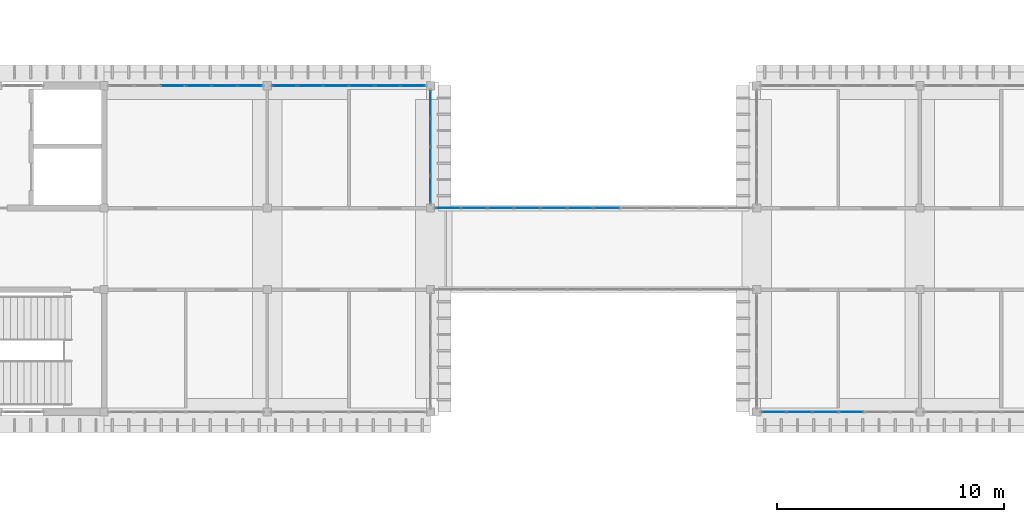
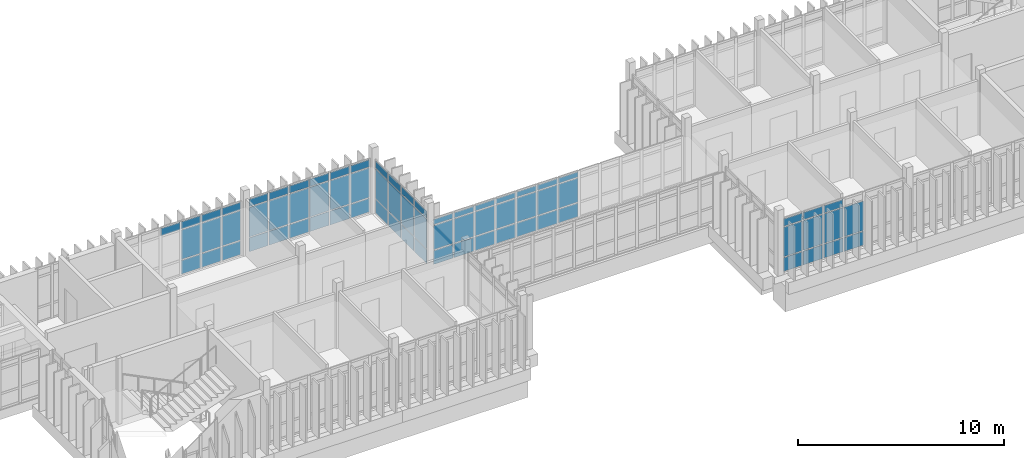
# One storey, part 32 of 69: 72 plates, 5 elements without a shape of their own.
"""IFC4 building model written with IfcOpenShell, lengths in metres."""

from ifc_helpers import new_model, si_unit, direction, frame, origin, origin_2d, place, context, subcontext, project, spatial, rectangle, extrude, material, layer, layer_set, type_object, element, aggregate, save


model = new_model("IFC4")

# Units and contexts
model_context = context("Model", 3, precision=1e-05, world=origin(), true_north=direction((0.0, 1.0)))
body_context = subcontext(model_context, "Body", "Model", "MODEL_VIEW")
ifc_project = project(units=[si_unit("LENGTHUNIT", "METRE"), si_unit("AREAUNIT", "SQUARE_METRE"), si_unit("VOLUMEUNIT", "CUBIC_METRE"), si_unit("PLANEANGLEUNIT", "RADIAN"), si_unit("MASSUNIT", "GRAM", prefix="KILO")], contexts=[model_context])

# Site, building, storey
site_placement = place(None, origin())
site = spatial("IfcSite", under=ifc_project, at=site_placement, CompositionType="ELEMENT")
building_placement = place(site_placement, origin())
building = spatial("IfcBuilding", under=site, at=building_placement, Name="Mazhai Court Health Centre", CompositionType="ELEMENT")
storey_placement = place(building_placement, frame((0.0, 0.0, 6.300048828125)))
storey = spatial("IfcBuildingStorey", under=building, at=storey_placement, Name="L01", CompositionType="ELEMENT", Elevation=6.300048828125)

# Curtain wall, plates
ifc_material_1 = material(Name="Teak timber frame, glazed", Category="wood")
ifc_layer_1 = layer(ifc_material_1, 0.10009765625)
ifc_layer_set_1 = layer_set([ifc_layer_1], Name="CURTAIN WALL TIMBER 1200")
curtain_wall_type = type_object("IfcCurtainWallType", Name="CURTAIN WALL TIMBER 1200", PredefinedType="NOTDEFINED", material=ifc_layer_set_1)
curtain_wall_1_placement = place(storey_placement, origin())
curtain_wall_1 = element("IfcCurtainWall", 1, at=curtain_wall_1_placement, inside=storey, type_object=curtain_wall_type, Name="CW-V4-L01-A5", PredefinedType="NOTDEFINED")
ifc_material_2 = material(Name="Glass IGU 28 mm", Category="glass")
ifc_layer_2 = layer(ifc_material_2, 0.028076171875)
ifc_layer_set_2 = layer_set([ifc_layer_2], Name="CW PANEL IGU 28")
plate_type = type_object("IfcPlateType", Name="CW PANEL IGU 28", PredefinedType="CURTAIN_PANEL", material=ifc_layer_set_2)
plate_1_placement = place(storey_placement, frame((111.169921875, 13.39990234375, 0.059814453125), z_axis=(0.0, 0.0, 1.0), x_axis=(-1.0, 0.0, 0.0)))
plate_1 = element("IfcPlate", 2, at=plate_1_placement, type_object=plate_type, Name="CW panel 3.1", PredefinedType="CURTAIN_PANEL", context=body_context, shape_type="SweptSolid", body=[
    extrude(rectangle(XDim=1.080078125, YDim=0.028076171875, at=origin_2d()), origin(), (0.0, 0.0, 1.0), 0.81005859375),
])
plate_2_placement = place(storey_placement, frame((111.169921875, 13.39990234375, 0.93017578125), z_axis=(0.0, 0.0, 1.0), x_axis=(-1.0, 0.0, 0.0)))
plate_2 = element("IfcPlate", 3, at=plate_2_placement, type_object=plate_type, Name="CW panel 3.2", PredefinedType="CURTAIN_PANEL", context=body_context, shape_type="SweptSolid", body=[
    extrude(rectangle(XDim=1.080078125, YDim=0.028076171875, at=origin_2d()), origin(), (0.0, 0.0, 1.0), 1.739990234375),
])
plate_3_placement = place(storey_placement, frame((110.030029296875, 13.39990234375, 0.059814453125), z_axis=(0.0, 0.0, 1.0), x_axis=(-1.0, 0.0, 0.0)))
plate_3 = element("IfcPlate", 4, at=plate_3_placement, type_object=plate_type, Name="CW panel 4.1", PredefinedType="CURTAIN_PANEL", context=body_context, shape_type="SweptSolid", body=[
    extrude(rectangle(XDim=1.080078125, YDim=0.028076171875, at=origin_2d()), origin(), (0.0, 0.0, 1.0), 0.81005859375),
])
plate_4_placement = place(storey_placement, frame((110.030029296875, 13.39990234375, 0.93017578125), z_axis=(0.0, 0.0, 1.0), x_axis=(-1.0, 0.0, 0.0)))
plate_4 = element("IfcPlate", 5, at=plate_4_placement, type_object=plate_type, Name="CW panel 4.2", PredefinedType="CURTAIN_PANEL", context=body_context, shape_type="SweptSolid", body=[
    extrude(rectangle(XDim=1.080078125, YDim=0.028076171875, at=origin_2d()), origin(), (0.0, 0.0, 1.0), 1.739990234375),
])
plate_5_placement = place(storey_placement, frame((110.030029296875, 13.39990234375, 2.72998046875), z_axis=(0.0, 0.0, 1.0), x_axis=(-1.0, 0.0, 0.0)))
plate_5 = element("IfcPlate", 6, at=plate_5_placement, type_object=plate_type, Name="CW panel 4.3", PredefinedType="CURTAIN_PANEL", context=body_context, shape_type="SweptSolid", body=[
    extrude(rectangle(XDim=1.080078125, YDim=0.028076171875, at=origin_2d()), origin(), (0.0, 0.0, 1.0), 0.429931640625),
])
plate_6_placement = place(storey_placement, frame((108.889892578125, 13.39990234375, 0.059814453125), z_axis=(0.0, 0.0, 1.0), x_axis=(-1.0, 0.0, 0.0)))
plate_6 = element("IfcPlate", 7, at=plate_6_placement, type_object=plate_type, Name="CW panel 5.1", PredefinedType="CURTAIN_PANEL", context=body_context, shape_type="SweptSolid", body=[
    extrude(rectangle(XDim=1.080078125, YDim=0.028076171875, at=origin_2d()), origin(), (0.0, 0.0, 1.0), 0.81005859375),
])
plate_7_placement = place(storey_placement, frame((108.889892578125, 13.39990234375, 0.93017578125), z_axis=(0.0, 0.0, 1.0), x_axis=(-1.0, 0.0, 0.0)))
plate_7 = element("IfcPlate", 8, at=plate_7_placement, type_object=plate_type, Name="CW panel 5.2", PredefinedType="CURTAIN_PANEL", context=body_context, shape_type="SweptSolid", body=[
    extrude(rectangle(XDim=1.080078125, YDim=0.028076171875, at=origin_2d()), origin(), (0.0, 0.0, 1.0), 1.739990234375),
])
plate_8_placement = place(storey_placement, frame((108.889892578125, 13.39990234375, 2.72998046875), z_axis=(0.0, 0.0, 1.0), x_axis=(-1.0, 0.0, 0.0)))
plate_8 = element("IfcPlate", 9, at=plate_8_placement, type_object=plate_type, Name="CW panel 5.3", PredefinedType="CURTAIN_PANEL", context=body_context, shape_type="SweptSolid", body=[
    extrude(rectangle(XDim=1.080078125, YDim=0.028076171875, at=origin_2d()), origin(), (0.0, 0.0, 1.0), 0.429931640625),
])
plate_9_placement = place(storey_placement, frame((107.764892578125, 13.39990234375, 0.059814453125), z_axis=(0.0, 0.0, 1.0), x_axis=(-1.0, 0.0, 0.0)))
plate_9 = element("IfcPlate", 10, at=plate_9_placement, type_object=plate_type, Name="CW panel 6.1", PredefinedType="CURTAIN_PANEL", context=body_context, shape_type="SweptSolid", body=[
    extrude(rectangle(XDim=1.050048828125, YDim=0.028076171875, at=origin_2d()), origin(), (0.0, 0.0, 1.0), 0.81005859375),
])
plate_10_placement = place(storey_placement, frame((107.764892578125, 13.39990234375, 0.93017578125), z_axis=(0.0, 0.0, 1.0), x_axis=(-1.0, 0.0, 0.0)))
plate_10 = element("IfcPlate", 11, at=plate_10_placement, type_object=plate_type, Name="CW panel 6.2", PredefinedType="CURTAIN_PANEL", context=body_context, shape_type="SweptSolid", body=[
    extrude(rectangle(XDim=1.050048828125, YDim=0.028076171875, at=origin_2d()), origin(), (0.0, 0.0, 1.0), 1.739990234375),
])
plate_11_placement = place(storey_placement, frame((107.764892578125, 13.39990234375, 2.72998046875), z_axis=(0.0, 0.0, 1.0), x_axis=(-1.0, 0.0, 0.0)))
plate_11 = element("IfcPlate", 12, at=plate_11_placement, type_object=plate_type, Name="CW panel 6.3", PredefinedType="CURTAIN_PANEL", context=body_context, shape_type="SweptSolid", body=[
    extrude(rectangle(XDim=1.050048828125, YDim=0.028076171875, at=origin_2d()), origin(), (0.0, 0.0, 1.0), 0.429931640625),
])
aggregate(curtain_wall_1, [plate_1, plate_2, plate_3, plate_4, plate_5, plate_6, plate_7, plate_8, plate_9, plate_10, plate_11])

curtain_wall_2_placement = place(storey_placement, origin())
curtain_wall_2 = element("IfcCurtainWall", 13, at=curtain_wall_2_placement, inside=storey, type_object=curtain_wall_type, Name="CW-V4-L01-B1", PredefinedType="NOTDEFINED")
plate_12_placement = place(storey_placement, frame((81.22998046875, 27.800048828125, 2.72998046875), z_axis=(0.0, 0.0, 1.0), x_axis=(1.0, 0.0, 0.0)))
plate_12 = element("IfcPlate", 14, at=plate_12_placement, type_object=plate_type, Name="CW panel 3.3", PredefinedType="CURTAIN_PANEL", context=body_context, shape_type="SweptSolid", body=[
    extrude(rectangle(XDim=1.080078125, YDim=0.028076171875, at=origin_2d()), origin(), (0.0, 0.0, 1.0), 0.429931640625),
])
plate_13_placement = place(storey_placement, frame((82.3701171875, 27.800048828125, 0.059814453125), z_axis=(0.0, 0.0, 1.0), x_axis=(1.0, 0.0, 0.0)))
plate_13 = element("IfcPlate", 15, at=plate_13_placement, type_object=plate_type, Name="CW panel 4.1", PredefinedType="CURTAIN_PANEL", context=body_context, shape_type="SweptSolid", body=[
    extrude(rectangle(XDim=1.080078125, YDim=0.028076171875, at=origin_2d()), origin(), (0.0, 0.0, 1.0), 0.81005859375),
])
plate_14_placement = place(storey_placement, frame((82.3701171875, 27.800048828125, 0.93017578125), z_axis=(0.0, 0.0, 1.0), x_axis=(1.0, 0.0, 0.0)))
plate_14 = element("IfcPlate", 16, at=plate_14_placement, type_object=plate_type, Name="CW panel 4.2", PredefinedType="CURTAIN_PANEL", context=body_context, shape_type="SweptSolid", body=[
    extrude(rectangle(XDim=1.080078125, YDim=0.028076171875, at=origin_2d()), origin(), (0.0, 0.0, 1.0), 1.739990234375),
])
plate_15_placement = place(storey_placement, frame((82.3701171875, 27.800048828125, 2.72998046875), z_axis=(0.0, 0.0, 1.0), x_axis=(1.0, 0.0, 0.0)))
plate_15 = element("IfcPlate", 17, at=plate_15_placement, type_object=plate_type, Name="CW panel 4.3", PredefinedType="CURTAIN_PANEL", context=body_context, shape_type="SweptSolid", body=[
    extrude(rectangle(XDim=1.080078125, YDim=0.028076171875, at=origin_2d()), origin(), (0.0, 0.0, 1.0), 0.429931640625),
])
plate_16_placement = place(storey_placement, frame((83.510009765625, 27.800048828125, 0.059814453125), z_axis=(0.0, 0.0, 1.0), x_axis=(1.0, 0.0, 0.0)))
plate_16 = element("IfcPlate", 18, at=plate_16_placement, type_object=plate_type, Name="CW panel 5.1", PredefinedType="CURTAIN_PANEL", context=body_context, shape_type="SweptSolid", body=[
    extrude(rectangle(XDim=1.080078125, YDim=0.028076171875, at=origin_2d()), origin(), (0.0, 0.0, 1.0), 0.81005859375),
])
plate_17_placement = place(storey_placement, frame((83.510009765625, 27.800048828125, 0.93017578125), z_axis=(0.0, 0.0, 1.0), x_axis=(1.0, 0.0, 0.0)))
plate_17 = element("IfcPlate", 19, at=plate_17_placement, type_object=plate_type, Name="CW panel 5.2", PredefinedType="CURTAIN_PANEL", context=body_context, shape_type="SweptSolid", body=[
    extrude(rectangle(XDim=1.080078125, YDim=0.028076171875, at=origin_2d()), origin(), (0.0, 0.0, 1.0), 1.739990234375),
])
plate_18_placement = place(storey_placement, frame((83.510009765625, 27.800048828125, 2.72998046875), z_axis=(0.0, 0.0, 1.0), x_axis=(1.0, 0.0, 0.0)))
plate_18 = element("IfcPlate", 20, at=plate_18_placement, type_object=plate_type, Name="CW panel 5.3", PredefinedType="CURTAIN_PANEL", context=body_context, shape_type="SweptSolid", body=[
    extrude(rectangle(XDim=1.080078125, YDim=0.028076171875, at=origin_2d()), origin(), (0.0, 0.0, 1.0), 0.429931640625),
])
plate_19_placement = place(storey_placement, frame((84.635009765625, 27.800048828125, 0.059814453125), z_axis=(0.0, 0.0, 1.0), x_axis=(1.0, 0.0, 0.0)))
plate_19 = element("IfcPlate", 21, at=plate_19_placement, type_object=plate_type, Name="CW panel 6.1", PredefinedType="CURTAIN_PANEL", context=body_context, shape_type="SweptSolid", body=[
    extrude(rectangle(XDim=1.050048828125, YDim=0.028076171875, at=origin_2d()), origin(), (0.0, 0.0, 1.0), 0.81005859375),
])
plate_20_placement = place(storey_placement, frame((84.635009765625, 27.800048828125, 0.93017578125), z_axis=(0.0, 0.0, 1.0), x_axis=(1.0, 0.0, 0.0)))
plate_20 = element("IfcPlate", 22, at=plate_20_placement, type_object=plate_type, Name="CW panel 6.2", PredefinedType="CURTAIN_PANEL", context=body_context, shape_type="SweptSolid", body=[
    extrude(rectangle(XDim=1.050048828125, YDim=0.028076171875, at=origin_2d()), origin(), (0.0, 0.0, 1.0), 1.739990234375),
])
plate_21_placement = place(storey_placement, frame((84.635009765625, 27.800048828125, 2.72998046875), z_axis=(0.0, 0.0, 1.0), x_axis=(1.0, 0.0, 0.0)))
plate_21 = element("IfcPlate", 23, at=plate_21_placement, type_object=plate_type, Name="CW panel 6.3", PredefinedType="CURTAIN_PANEL", context=body_context, shape_type="SweptSolid", body=[
    extrude(rectangle(XDim=1.050048828125, YDim=0.028076171875, at=origin_2d()), origin(), (0.0, 0.0, 1.0), 0.429931640625),
])
aggregate(curtain_wall_2, [plate_12, plate_13, plate_14, plate_15, plate_16, plate_17, plate_18, plate_19, plate_20, plate_21])

curtain_wall_3_placement = place(storey_placement, origin())
curtain_wall_3 = element("IfcCurtainWall", 24, at=curtain_wall_3_placement, inside=storey, type_object=curtain_wall_type, Name="CW-V4-L01-B2", PredefinedType="NOTDEFINED")
plate_22_placement = place(storey_placement, frame((86.1650390625, 27.800048828125, 0.059814453125), z_axis=(0.0, 0.0, 1.0), x_axis=(1.0, 0.0, 0.0)))
plate_22 = element("IfcPlate", 25, at=plate_22_placement, type_object=plate_type, Name="CW panel 1.1", PredefinedType="CURTAIN_PANEL", context=body_context, shape_type="SweptSolid", body=[
    extrude(rectangle(XDim=1.050048828125, YDim=0.028076171875, at=origin_2d()), origin(), (0.0, 0.0, 1.0), 0.81005859375),
])
plate_23_placement = place(storey_placement, frame((86.1650390625, 27.800048828125, 0.93017578125), z_axis=(0.0, 0.0, 1.0), x_axis=(1.0, 0.0, 0.0)))
plate_23 = element("IfcPlate", 26, at=plate_23_placement, type_object=plate_type, Name="CW panel 1.2", PredefinedType="CURTAIN_PANEL", context=body_context, shape_type="SweptSolid", body=[
    extrude(rectangle(XDim=1.050048828125, YDim=0.028076171875, at=origin_2d()), origin(), (0.0, 0.0, 1.0), 1.739990234375),
])
plate_24_placement = place(storey_placement, frame((86.1650390625, 27.800048828125, 2.72998046875), z_axis=(0.0, 0.0, 1.0), x_axis=(1.0, 0.0, 0.0)))
plate_24 = element("IfcPlate", 27, at=plate_24_placement, type_object=plate_type, Name="CW panel 1.3", PredefinedType="CURTAIN_PANEL", context=body_context, shape_type="SweptSolid", body=[
    extrude(rectangle(XDim=1.050048828125, YDim=0.028076171875, at=origin_2d()), origin(), (0.0, 0.0, 1.0), 0.429931640625),
])
plate_25_placement = place(storey_placement, frame((87.2900390625, 27.800048828125, 0.059814453125), z_axis=(0.0, 0.0, 1.0), x_axis=(1.0, 0.0, 0.0)))
plate_25 = element("IfcPlate", 28, at=plate_25_placement, type_object=plate_type, Name="CW panel 2.1", PredefinedType="CURTAIN_PANEL", context=body_context, shape_type="SweptSolid", body=[
    extrude(rectangle(XDim=1.080078125, YDim=0.028076171875, at=origin_2d()), origin(), (0.0, 0.0, 1.0), 0.81005859375),
])
plate_26_placement = place(storey_placement, frame((87.2900390625, 27.800048828125, 0.93017578125), z_axis=(0.0, 0.0, 1.0), x_axis=(1.0, 0.0, 0.0)))
plate_26 = element("IfcPlate", 29, at=plate_26_placement, type_object=plate_type, Name="CW panel 2.2", PredefinedType="CURTAIN_PANEL", context=body_context, shape_type="SweptSolid", body=[
    extrude(rectangle(XDim=1.080078125, YDim=0.028076171875, at=origin_2d()), origin(), (0.0, 0.0, 1.0), 1.739990234375),
])
plate_27_placement = place(storey_placement, frame((87.2900390625, 27.800048828125, 2.72998046875), z_axis=(0.0, 0.0, 1.0), x_axis=(1.0, 0.0, 0.0)))
plate_27 = element("IfcPlate", 30, at=plate_27_placement, type_object=plate_type, Name="CW panel 2.3", PredefinedType="CURTAIN_PANEL", context=body_context, shape_type="SweptSolid", body=[
    extrude(rectangle(XDim=1.080078125, YDim=0.028076171875, at=origin_2d()), origin(), (0.0, 0.0, 1.0), 0.429931640625),
])
plate_28_placement = place(storey_placement, frame((88.429931640625, 27.800048828125, 0.059814453125), z_axis=(0.0, 0.0, 1.0), x_axis=(1.0, 0.0, 0.0)))
plate_28 = element("IfcPlate", 31, at=plate_28_placement, type_object=plate_type, Name="CW panel 3.1", PredefinedType="CURTAIN_PANEL", context=body_context, shape_type="SweptSolid", body=[
    extrude(rectangle(XDim=1.080078125, YDim=0.028076171875, at=origin_2d()), origin(), (0.0, 0.0, 1.0), 0.81005859375),
])
plate_29_placement = place(storey_placement, frame((88.429931640625, 27.800048828125, 0.93017578125), z_axis=(0.0, 0.0, 1.0), x_axis=(1.0, 0.0, 0.0)))
plate_29 = element("IfcPlate", 32, at=plate_29_placement, type_object=plate_type, Name="CW panel 3.2", PredefinedType="CURTAIN_PANEL", context=body_context, shape_type="SweptSolid", body=[
    extrude(rectangle(XDim=1.080078125, YDim=0.028076171875, at=origin_2d()), origin(), (0.0, 0.0, 1.0), 1.739990234375),
])
plate_30_placement = place(storey_placement, frame((88.429931640625, 27.800048828125, 2.72998046875), z_axis=(0.0, 0.0, 1.0), x_axis=(1.0, 0.0, 0.0)))
plate_30 = element("IfcPlate", 33, at=plate_30_placement, type_object=plate_type, Name="CW panel 3.3", PredefinedType="CURTAIN_PANEL", context=body_context, shape_type="SweptSolid", body=[
    extrude(rectangle(XDim=1.080078125, YDim=0.028076171875, at=origin_2d()), origin(), (0.0, 0.0, 1.0), 0.429931640625),
])
plate_31_placement = place(storey_placement, frame((89.570068359375, 27.800048828125, 0.059814453125), z_axis=(0.0, 0.0, 1.0), x_axis=(1.0, 0.0, 0.0)))
plate_31 = element("IfcPlate", 34, at=plate_31_placement, type_object=plate_type, Name="CW panel 4.1", PredefinedType="CURTAIN_PANEL", context=body_context, shape_type="SweptSolid", body=[
    extrude(rectangle(XDim=1.080078125, YDim=0.028076171875, at=origin_2d()), origin(), (0.0, 0.0, 1.0), 0.81005859375),
])
plate_32_placement = place(storey_placement, frame((89.570068359375, 27.800048828125, 0.93017578125), z_axis=(0.0, 0.0, 1.0), x_axis=(1.0, 0.0, 0.0)))
plate_32 = element("IfcPlate", 35, at=plate_32_placement, type_object=plate_type, Name="CW panel 4.2", PredefinedType="CURTAIN_PANEL", context=body_context, shape_type="SweptSolid", body=[
    extrude(rectangle(XDim=1.080078125, YDim=0.028076171875, at=origin_2d()), origin(), (0.0, 0.0, 1.0), 1.739990234375),
])
plate_33_placement = place(storey_placement, frame((89.570068359375, 27.800048828125, 2.72998046875), z_axis=(0.0, 0.0, 1.0), x_axis=(1.0, 0.0, 0.0)))
plate_33 = element("IfcPlate", 36, at=plate_33_placement, type_object=plate_type, Name="CW panel 4.3", PredefinedType="CURTAIN_PANEL", context=body_context, shape_type="SweptSolid", body=[
    extrude(rectangle(XDim=1.080078125, YDim=0.028076171875, at=origin_2d()), origin(), (0.0, 0.0, 1.0), 0.429931640625),
])
plate_34_placement = place(storey_placement, frame((90.7099609375, 27.800048828125, 0.059814453125), z_axis=(0.0, 0.0, 1.0), x_axis=(1.0, 0.0, 0.0)))
plate_34 = element("IfcPlate", 37, at=plate_34_placement, type_object=plate_type, Name="CW panel 5.1", PredefinedType="CURTAIN_PANEL", context=body_context, shape_type="SweptSolid", body=[
    extrude(rectangle(XDim=1.080078125, YDim=0.028076171875, at=origin_2d()), origin(), (0.0, 0.0, 1.0), 0.81005859375),
])
plate_35_placement = place(storey_placement, frame((90.7099609375, 27.800048828125, 0.93017578125), z_axis=(0.0, 0.0, 1.0), x_axis=(1.0, 0.0, 0.0)))
plate_35 = element("IfcPlate", 38, at=plate_35_placement, type_object=plate_type, Name="CW panel 5.2", PredefinedType="CURTAIN_PANEL", context=body_context, shape_type="SweptSolid", body=[
    extrude(rectangle(XDim=1.080078125, YDim=0.028076171875, at=origin_2d()), origin(), (0.0, 0.0, 1.0), 1.739990234375),
])
plate_36_placement = place(storey_placement, frame((90.7099609375, 27.800048828125, 2.72998046875), z_axis=(0.0, 0.0, 1.0), x_axis=(1.0, 0.0, 0.0)))
plate_36 = element("IfcPlate", 39, at=plate_36_placement, type_object=plate_type, Name="CW panel 5.3", PredefinedType="CURTAIN_PANEL", context=body_context, shape_type="SweptSolid", body=[
    extrude(rectangle(XDim=1.080078125, YDim=0.028076171875, at=origin_2d()), origin(), (0.0, 0.0, 1.0), 0.429931640625),
])
plate_37_placement = place(storey_placement, frame((91.8349609375, 27.800048828125, 0.059814453125), z_axis=(0.0, 0.0, 1.0), x_axis=(1.0, 0.0, 0.0)))
plate_37 = element("IfcPlate", 40, at=plate_37_placement, type_object=plate_type, Name="CW panel 6.1", PredefinedType="CURTAIN_PANEL", context=body_context, shape_type="SweptSolid", body=[
    extrude(rectangle(XDim=1.050048828125, YDim=0.028076171875, at=origin_2d()), origin(), (0.0, 0.0, 1.0), 0.81005859375),
])
plate_38_placement = place(storey_placement, frame((91.8349609375, 27.800048828125, 0.93017578125), z_axis=(0.0, 0.0, 1.0), x_axis=(1.0, 0.0, 0.0)))
plate_38 = element("IfcPlate", 41, at=plate_38_placement, type_object=plate_type, Name="CW panel 6.2", PredefinedType="CURTAIN_PANEL", context=body_context, shape_type="SweptSolid", body=[
    extrude(rectangle(XDim=1.050048828125, YDim=0.028076171875, at=origin_2d()), origin(), (0.0, 0.0, 1.0), 1.739990234375),
])
plate_39_placement = place(storey_placement, frame((91.8349609375, 27.800048828125, 2.72998046875), z_axis=(0.0, 0.0, 1.0), x_axis=(1.0, 0.0, 0.0)))
plate_39 = element("IfcPlate", 42, at=plate_39_placement, type_object=plate_type, Name="CW panel 6.3", PredefinedType="CURTAIN_PANEL", context=body_context, shape_type="SweptSolid", body=[
    extrude(rectangle(XDim=1.050048828125, YDim=0.028076171875, at=origin_2d()), origin(), (0.0, 0.0, 1.0), 0.429931640625),
])
aggregate(curtain_wall_3, [plate_22, plate_23, plate_24, plate_25, plate_26, plate_27, plate_28, plate_29, plate_30, plate_31, plate_32, plate_33, plate_34, plate_35, plate_36, plate_37, plate_38, plate_39])

curtain_wall_4_placement = place(storey_placement, origin())
curtain_wall_4 = element("IfcCurtainWall", 43, at=curtain_wall_4_placement, inside=storey, type_object=curtain_wall_type, Name="CW-V4-L01-CE2-1", PredefinedType="NOTDEFINED")
plate_40_placement = place(storey_placement, frame((92.60009765625, 26.97509765625, 0.059814453125), z_axis=(0.0, 0.0, 1.0), x_axis=(0.0, -1.0, 0.0)))
plate_40 = element("IfcPlate", 44, at=plate_40_placement, type_object=plate_type, Name="CW panel 1.1", PredefinedType="CURTAIN_PANEL", context=body_context, shape_type="SweptSolid", body=[
    extrude(rectangle(XDim=1.169921875, YDim=0.028076171875, at=origin_2d()), origin(), (0.0, 0.0, 1.0), 0.81005859375),
])
plate_41_placement = place(storey_placement, frame((92.60009765625, 26.97509765625, 0.93017578125), z_axis=(0.0, 0.0, 1.0), x_axis=(0.0, -1.0, 0.0)))
plate_41 = element("IfcPlate", 45, at=plate_41_placement, type_object=plate_type, Name="CW panel 1.2", PredefinedType="CURTAIN_PANEL", context=body_context, shape_type="SweptSolid", body=[
    extrude(rectangle(XDim=1.169921875, YDim=0.028076171875, at=origin_2d()), origin(), (0.0, 0.0, 1.0), 1.739990234375),
])
plate_42_placement = place(storey_placement, frame((92.60009765625, 26.97509765625, 2.72998046875), z_axis=(0.0, 0.0, 1.0), x_axis=(0.0, -1.0, 0.0)))
plate_42 = element("IfcPlate", 46, at=plate_42_placement, type_object=plate_type, Name="CW panel 1.3", PredefinedType="CURTAIN_PANEL", context=body_context, shape_type="SweptSolid", body=[
    extrude(rectangle(XDim=1.169921875, YDim=0.028076171875, at=origin_2d()), origin(), (0.0, 0.0, 1.0), 0.409912109375),
])
plate_43_placement = place(storey_placement, frame((92.60009765625, 25.72998046875, 0.059814453125), z_axis=(0.0, 0.0, 1.0), x_axis=(0.0, -1.0, 0.0)))
plate_43 = element("IfcPlate", 47, at=plate_43_placement, type_object=plate_type, Name="CW panel 2.1", PredefinedType="CURTAIN_PANEL", context=body_context, shape_type="SweptSolid", body=[
    extrude(rectangle(XDim=1.199951171875, YDim=0.028076171875, at=origin_2d()), origin(), (0.0, 0.0, 1.0), 0.81005859375),
])
plate_44_placement = place(storey_placement, frame((92.60009765625, 25.72998046875, 0.93017578125), z_axis=(0.0, 0.0, 1.0), x_axis=(0.0, -1.0, 0.0)))
plate_44 = element("IfcPlate", 48, at=plate_44_placement, type_object=plate_type, Name="CW panel 2.2", PredefinedType="CURTAIN_PANEL", context=body_context, shape_type="SweptSolid", body=[
    extrude(rectangle(XDim=1.199951171875, YDim=0.028076171875, at=origin_2d()), origin(), (0.0, 0.0, 1.0), 1.739990234375),
])
plate_45_placement = place(storey_placement, frame((92.60009765625, 25.72998046875, 2.72998046875), z_axis=(0.0, 0.0, 1.0), x_axis=(0.0, -1.0, 0.0)))
plate_45 = element("IfcPlate", 49, at=plate_45_placement, type_object=plate_type, Name="CW panel 2.3", PredefinedType="CURTAIN_PANEL", context=body_context, shape_type="SweptSolid", body=[
    extrude(rectangle(XDim=1.199951171875, YDim=0.028076171875, at=origin_2d()), origin(), (0.0, 0.0, 1.0), 0.409912109375),
])
plate_46_placement = place(storey_placement, frame((92.60009765625, 24.469970703125, 0.059814453125), z_axis=(0.0, 0.0, 1.0), x_axis=(0.0, -1.0, 0.0)))
plate_46 = element("IfcPlate", 50, at=plate_46_placement, type_object=plate_type, Name="CW panel 3.1", PredefinedType="CURTAIN_PANEL", context=body_context, shape_type="SweptSolid", body=[
    extrude(rectangle(XDim=1.199951171875, YDim=0.028076171875, at=origin_2d()), origin(), (0.0, 0.0, 1.0), 0.81005859375),
])
plate_47_placement = place(storey_placement, frame((92.60009765625, 24.469970703125, 0.93017578125), z_axis=(0.0, 0.0, 1.0), x_axis=(0.0, -1.0, 0.0)))
plate_47 = element("IfcPlate", 51, at=plate_47_placement, type_object=plate_type, Name="CW panel 3.2", PredefinedType="CURTAIN_PANEL", context=body_context, shape_type="SweptSolid", body=[
    extrude(rectangle(XDim=1.199951171875, YDim=0.028076171875, at=origin_2d()), origin(), (0.0, 0.0, 1.0), 1.739990234375),
])
plate_48_placement = place(storey_placement, frame((92.60009765625, 24.469970703125, 2.72998046875), z_axis=(0.0, 0.0, 1.0), x_axis=(0.0, -1.0, 0.0)))
plate_48 = element("IfcPlate", 52, at=plate_48_placement, type_object=plate_type, Name="CW panel 3.3", PredefinedType="CURTAIN_PANEL", context=body_context, shape_type="SweptSolid", body=[
    extrude(rectangle(XDim=1.199951171875, YDim=0.028076171875, at=origin_2d()), origin(), (0.0, 0.0, 1.0), 0.409912109375),
])
plate_49_placement = place(storey_placement, frame((92.60009765625, 23.22509765625, 0.059814453125), z_axis=(0.0, 0.0, 1.0), x_axis=(0.0, -1.0, 0.0)))
plate_49 = element("IfcPlate", 53, at=plate_49_placement, type_object=plate_type, Name="CW panel 4.1", PredefinedType="CURTAIN_PANEL", context=body_context, shape_type="SweptSolid", body=[
    extrude(rectangle(XDim=1.169921875, YDim=0.028076171875, at=origin_2d()), origin(), (0.0, 0.0, 1.0), 0.81005859375),
])
plate_50_placement = place(storey_placement, frame((92.60009765625, 23.22509765625, 0.93017578125), z_axis=(0.0, 0.0, 1.0), x_axis=(0.0, -1.0, 0.0)))
plate_50 = element("IfcPlate", 54, at=plate_50_placement, type_object=plate_type, Name="CW panel 4.2", PredefinedType="CURTAIN_PANEL", context=body_context, shape_type="SweptSolid", body=[
    extrude(rectangle(XDim=1.169921875, YDim=0.028076171875, at=origin_2d()), origin(), (0.0, 0.0, 1.0), 1.739990234375),
])
plate_51_placement = place(storey_placement, frame((92.60009765625, 23.22509765625, 2.72998046875), z_axis=(0.0, 0.0, 1.0), x_axis=(0.0, -1.0, 0.0)))
plate_51 = element("IfcPlate", 55, at=plate_51_placement, type_object=plate_type, Name="CW panel 4.3", PredefinedType="CURTAIN_PANEL", context=body_context, shape_type="SweptSolid", body=[
    extrude(rectangle(XDim=1.169921875, YDim=0.028076171875, at=origin_2d()), origin(), (0.0, 0.0, 1.0), 0.409912109375),
])
aggregate(curtain_wall_4, [plate_40, plate_41, plate_42, plate_43, plate_44, plate_45, plate_46, plate_47, plate_48, plate_49, plate_50, plate_51])

curtain_wall_5_placement = place(storey_placement, origin())
curtain_wall_5 = element("IfcCurtainWall", 56, at=curtain_wall_5_placement, inside=storey, type_object=curtain_wall_type, Name="CW-BR-LC1-N", PredefinedType="NOTDEFINED")
plate_52_placement = place(storey_placement, frame((93.3798828125, 22.39990234375, 0.059814453125), z_axis=(0.0, 0.0, 1.0), x_axis=(1.0, 0.0, 0.0)))
plate_52 = element("IfcPlate", 57, at=plate_52_placement, type_object=plate_type, Name="CW panel 1.1", PredefinedType="CURTAIN_PANEL", context=body_context, shape_type="SweptSolid", body=[
    extrude(rectangle(XDim=1.080078125, YDim=0.028076171875, at=origin_2d()), origin(), (0.0, 0.0, 1.0), 0.81005859375),
])
plate_53_placement = place(storey_placement, frame((93.3798828125, 22.39990234375, 0.929931640625), z_axis=(0.0, 0.0, 1.0), x_axis=(1.0, 0.0, 0.0)))
plate_53 = element("IfcPlate", 58, at=plate_53_placement, type_object=plate_type, Name="CW panel 1.2", PredefinedType="CURTAIN_PANEL", context=body_context, shape_type="SweptSolid", body=[
    extrude(rectangle(XDim=1.080078125, YDim=0.028076171875, at=origin_2d()), origin(), (0.0, 0.0, 1.0), 1.419921875),
])
plate_54_placement = place(storey_placement, frame((93.3798828125, 22.39990234375, 2.409912109375), z_axis=(0.0, 0.0, 1.0), x_axis=(1.0, 0.0, 0.0)))
plate_54 = element("IfcPlate", 59, at=plate_54_placement, type_object=plate_type, Name="CW panel 1.3", PredefinedType="CURTAIN_PANEL", context=body_context, shape_type="SweptSolid", body=[
    extrude(rectangle(XDim=1.080078125, YDim=0.028076171875, at=origin_2d()), origin(), (0.0, 0.0, 1.0), 0.31005859375),
])
plate_55_placement = place(storey_placement, frame((94.534912109375, 22.39990234375, 0.059814453125), z_axis=(0.0, 0.0, 1.0), x_axis=(1.0, 0.0, 0.0)))
plate_55 = element("IfcPlate", 60, at=plate_55_placement, type_object=plate_type, Name="CW panel 2.1", PredefinedType="CURTAIN_PANEL", context=body_context, shape_type="SweptSolid", body=[
    extrude(rectangle(XDim=1.110107421875, YDim=0.028076171875, at=origin_2d()), origin(), (0.0, 0.0, 1.0), 0.81005859375),
])
plate_56_placement = place(storey_placement, frame((94.534912109375, 22.39990234375, 0.929931640625), z_axis=(0.0, 0.0, 1.0), x_axis=(1.0, 0.0, 0.0)))
plate_56 = element("IfcPlate", 61, at=plate_56_placement, type_object=plate_type, Name="CW panel 2.2", PredefinedType="CURTAIN_PANEL", context=body_context, shape_type="SweptSolid", body=[
    extrude(rectangle(XDim=1.110107421875, YDim=0.028076171875, at=origin_2d()), origin(), (0.0, 0.0, 1.0), 1.419921875),
])
plate_57_placement = place(storey_placement, frame((94.534912109375, 22.39990234375, 2.409912109375), z_axis=(0.0, 0.0, 1.0), x_axis=(1.0, 0.0, 0.0)))
plate_57 = element("IfcPlate", 62, at=plate_57_placement, type_object=plate_type, Name="CW panel 2.3", PredefinedType="CURTAIN_PANEL", context=body_context, shape_type="SweptSolid", body=[
    extrude(rectangle(XDim=1.110107421875, YDim=0.028076171875, at=origin_2d()), origin(), (0.0, 0.0, 1.0), 0.31005859375),
])
plate_58_placement = place(storey_placement, frame((95.705078125, 22.39990234375, 0.059814453125), z_axis=(0.0, 0.0, 1.0), x_axis=(1.0, 0.0, 0.0)))
plate_58 = element("IfcPlate", 63, at=plate_58_placement, type_object=plate_type, Name="CW panel 3.1", PredefinedType="CURTAIN_PANEL", context=body_context, shape_type="SweptSolid", body=[
    extrude(rectangle(XDim=1.110107421875, YDim=0.028076171875, at=origin_2d()), origin(), (0.0, 0.0, 1.0), 0.81005859375),
])
plate_59_placement = place(storey_placement, frame((95.705078125, 22.39990234375, 0.929931640625), z_axis=(0.0, 0.0, 1.0), x_axis=(1.0, 0.0, 0.0)))
plate_59 = element("IfcPlate", 64, at=plate_59_placement, type_object=plate_type, Name="CW panel 3.2", PredefinedType="CURTAIN_PANEL", context=body_context, shape_type="SweptSolid", body=[
    extrude(rectangle(XDim=1.110107421875, YDim=0.028076171875, at=origin_2d()), origin(), (0.0, 0.0, 1.0), 1.419921875),
])
plate_60_placement = place(storey_placement, frame((95.705078125, 22.39990234375, 2.409912109375), z_axis=(0.0, 0.0, 1.0), x_axis=(1.0, 0.0, 0.0)))
plate_60 = element("IfcPlate", 65, at=plate_60_placement, type_object=plate_type, Name="CW panel 3.3", PredefinedType="CURTAIN_PANEL", context=body_context, shape_type="SweptSolid", body=[
    extrude(rectangle(XDim=1.110107421875, YDim=0.028076171875, at=origin_2d()), origin(), (0.0, 0.0, 1.0), 0.31005859375),
])
plate_61_placement = place(storey_placement, frame((96.875, 22.39990234375, 0.059814453125), z_axis=(0.0, 0.0, 1.0), x_axis=(1.0, 0.0, 0.0)))
plate_61 = element("IfcPlate", 66, at=plate_61_placement, type_object=plate_type, Name="CW panel 4.1", PredefinedType="CURTAIN_PANEL", context=body_context, shape_type="SweptSolid", body=[
    extrude(rectangle(XDim=1.110107421875, YDim=0.028076171875, at=origin_2d()), origin(), (0.0, 0.0, 1.0), 0.81005859375),
])
plate_62_placement = place(storey_placement, frame((96.875, 22.39990234375, 0.929931640625), z_axis=(0.0, 0.0, 1.0), x_axis=(1.0, 0.0, 0.0)))
plate_62 = element("IfcPlate", 67, at=plate_62_placement, type_object=plate_type, Name="CW panel 4.2", PredefinedType="CURTAIN_PANEL", context=body_context, shape_type="SweptSolid", body=[
    extrude(rectangle(XDim=1.110107421875, YDim=0.028076171875, at=origin_2d()), origin(), (0.0, 0.0, 1.0), 1.419921875),
])
plate_63_placement = place(storey_placement, frame((96.875, 22.39990234375, 2.409912109375), z_axis=(0.0, 0.0, 1.0), x_axis=(1.0, 0.0, 0.0)))
plate_63 = element("IfcPlate", 68, at=plate_63_placement, type_object=plate_type, Name="CW panel 4.3", PredefinedType="CURTAIN_PANEL", context=body_context, shape_type="SweptSolid", body=[
    extrude(rectangle(XDim=1.110107421875, YDim=0.028076171875, at=origin_2d()), origin(), (0.0, 0.0, 1.0), 0.31005859375),
])
plate_64_placement = place(storey_placement, frame((98.044921875, 22.39990234375, 0.059814453125), z_axis=(0.0, 0.0, 1.0), x_axis=(1.0, 0.0, 0.0)))
plate_64 = element("IfcPlate", 69, at=plate_64_placement, type_object=plate_type, Name="CW panel 5.1", PredefinedType="CURTAIN_PANEL", context=body_context, shape_type="SweptSolid", body=[
    extrude(rectangle(XDim=1.110107421875, YDim=0.028076171875, at=origin_2d()), origin(), (0.0, 0.0, 1.0), 0.81005859375),
])
plate_65_placement = place(storey_placement, frame((98.044921875, 22.39990234375, 0.929931640625), z_axis=(0.0, 0.0, 1.0), x_axis=(1.0, 0.0, 0.0)))
plate_65 = element("IfcPlate", 70, at=plate_65_placement, type_object=plate_type, Name="CW panel 5.2", PredefinedType="CURTAIN_PANEL", context=body_context, shape_type="SweptSolid", body=[
    extrude(rectangle(XDim=1.110107421875, YDim=0.028076171875, at=origin_2d()), origin(), (0.0, 0.0, 1.0), 1.419921875),
])
plate_66_placement = place(storey_placement, frame((98.044921875, 22.39990234375, 2.409912109375), z_axis=(0.0, 0.0, 1.0), x_axis=(1.0, 0.0, 0.0)))
plate_66 = element("IfcPlate", 71, at=plate_66_placement, type_object=plate_type, Name="CW panel 5.3", PredefinedType="CURTAIN_PANEL", context=body_context, shape_type="SweptSolid", body=[
    extrude(rectangle(XDim=1.110107421875, YDim=0.028076171875, at=origin_2d()), origin(), (0.0, 0.0, 1.0), 0.31005859375),
])
plate_67_placement = place(storey_placement, frame((99.215087890625, 22.39990234375, 0.059814453125), z_axis=(0.0, 0.0, 1.0), x_axis=(1.0, 0.0, 0.0)))
plate_67 = element("IfcPlate", 72, at=plate_67_placement, type_object=plate_type, Name="CW panel 6.1", PredefinedType="CURTAIN_PANEL", context=body_context, shape_type="SweptSolid", body=[
    extrude(rectangle(XDim=1.110107421875, YDim=0.028076171875, at=origin_2d()), origin(), (0.0, 0.0, 1.0), 0.81005859375),
])
plate_68_placement = place(storey_placement, frame((99.215087890625, 22.39990234375, 0.929931640625), z_axis=(0.0, 0.0, 1.0), x_axis=(1.0, 0.0, 0.0)))
plate_68 = element("IfcPlate", 73, at=plate_68_placement, type_object=plate_type, Name="CW panel 6.2", PredefinedType="CURTAIN_PANEL", context=body_context, shape_type="SweptSolid", body=[
    extrude(rectangle(XDim=1.110107421875, YDim=0.028076171875, at=origin_2d()), origin(), (0.0, 0.0, 1.0), 1.419921875),
])
plate_69_placement = place(storey_placement, frame((99.215087890625, 22.39990234375, 2.409912109375), z_axis=(0.0, 0.0, 1.0), x_axis=(1.0, 0.0, 0.0)))
plate_69 = element("IfcPlate", 74, at=plate_69_placement, type_object=plate_type, Name="CW panel 6.3", PredefinedType="CURTAIN_PANEL", context=body_context, shape_type="SweptSolid", body=[
    extrude(rectangle(XDim=1.110107421875, YDim=0.028076171875, at=origin_2d()), origin(), (0.0, 0.0, 1.0), 0.31005859375),
])
plate_70_placement = place(storey_placement, frame((100.385009765625, 22.39990234375, 0.059814453125), z_axis=(0.0, 0.0, 1.0), x_axis=(1.0, 0.0, 0.0)))
plate_70 = element("IfcPlate", 75, at=plate_70_placement, type_object=plate_type, Name="CW panel 7.1", PredefinedType="CURTAIN_PANEL", context=body_context, shape_type="SweptSolid", body=[
    extrude(rectangle(XDim=1.110107421875, YDim=0.028076171875, at=origin_2d()), origin(), (0.0, 0.0, 1.0), 0.81005859375),
])
plate_71_placement = place(storey_placement, frame((100.385009765625, 22.39990234375, 0.929931640625), z_axis=(0.0, 0.0, 1.0), x_axis=(1.0, 0.0, 0.0)))
plate_71 = element("IfcPlate", 76, at=plate_71_placement, type_object=plate_type, Name="CW panel 7.2", PredefinedType="CURTAIN_PANEL", context=body_context, shape_type="SweptSolid", body=[
    extrude(rectangle(XDim=1.110107421875, YDim=0.028076171875, at=origin_2d()), origin(), (0.0, 0.0, 1.0), 1.419921875),
])
plate_72_placement = place(storey_placement, frame((100.385009765625, 22.39990234375, 2.409912109375), z_axis=(0.0, 0.0, 1.0), x_axis=(1.0, 0.0, 0.0)))
plate_72 = element("IfcPlate", 77, at=plate_72_placement, type_object=plate_type, Name="CW panel 7.3", PredefinedType="CURTAIN_PANEL", context=body_context, shape_type="SweptSolid", body=[
    extrude(rectangle(XDim=1.110107421875, YDim=0.028076171875, at=origin_2d()), origin(), (0.0, 0.0, 1.0), 0.31005859375),
])
aggregate(curtain_wall_5, [plate_52, plate_53, plate_54, plate_55, plate_56, plate_57, plate_58, plate_59, plate_60, plate_61, plate_62, plate_63, plate_64, plate_65, plate_66, plate_67, plate_68, plate_69, plate_70, plate_71, plate_72])

save(model, "model.ifc")
